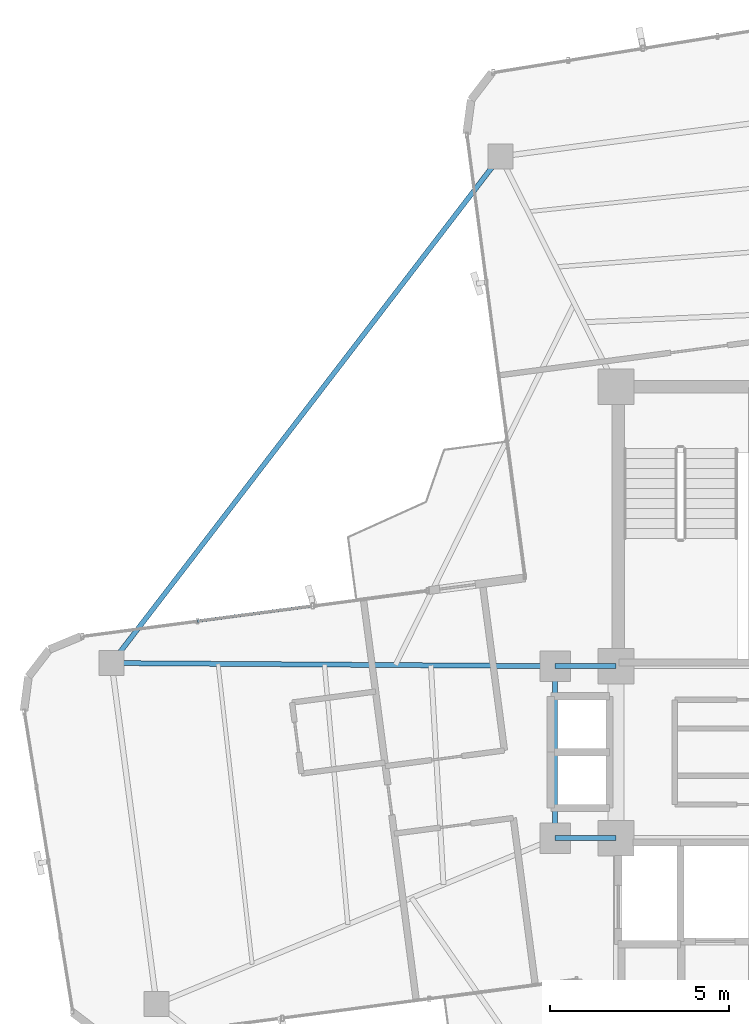
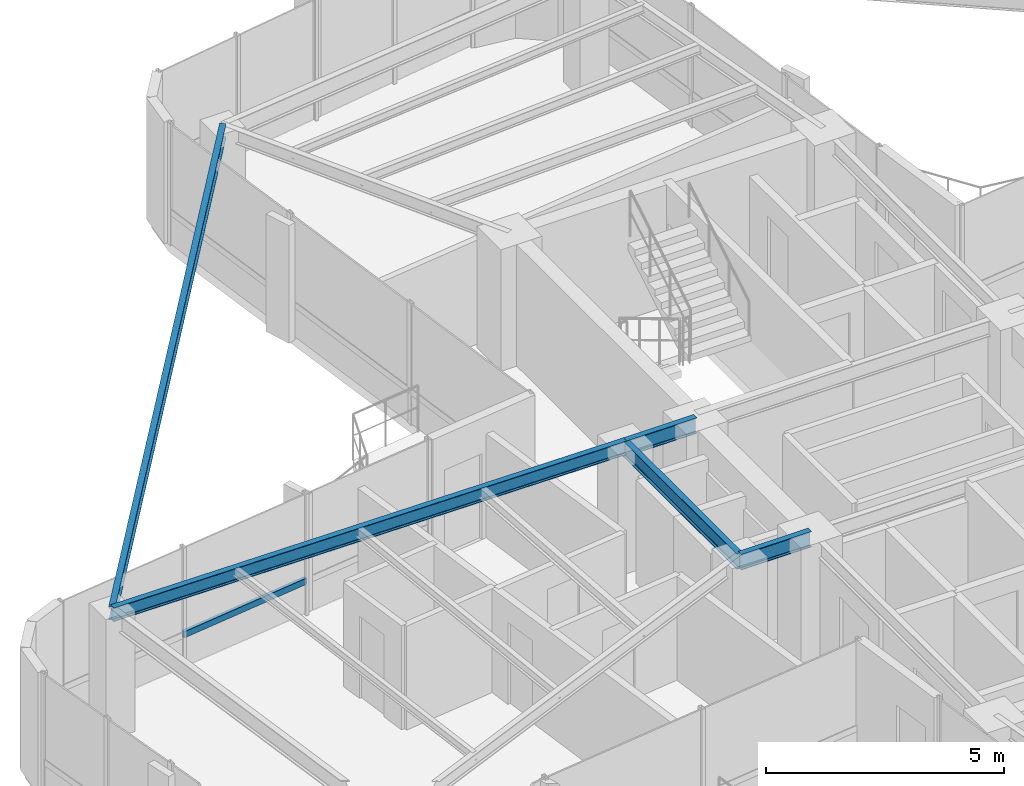
# One storey, part 7 of 21: 5 beams, 1 member, 1 element without a shape of its own.
"""IFC4 building model written with IfcOpenShell, lengths in metres."""

from ifc_helpers import new_model, si_unit, direction, frame, origin, origin_2d, place, context, subcontext, project, spatial, hollow_rectangle, i_section, extrude, source, transform, mapped, material, material_profile, profile_set, type_object, element, aggregate, save


model = new_model("IFC4")

# Units and contexts
model_context = context("Model", 3, precision=1e-05, world=origin(), true_north=direction((0.0, 1.0)))
body_context = subcontext(model_context, "Body", "Model", "MODEL_VIEW")
ifc_project = project(units=[si_unit("LENGTHUNIT", "METRE"), si_unit("AREAUNIT", "SQUARE_METRE"), si_unit("VOLUMEUNIT", "CUBIC_METRE"), si_unit("PLANEANGLEUNIT", "RADIAN"), si_unit("MASSUNIT", "GRAM", prefix="KILO")], contexts=[model_context])

# Site, building, storey
site_placement = place(None, origin())
site = spatial("IfcSite", under=ifc_project, at=site_placement, CompositionType="ELEMENT")
building_placement = place(site_placement, origin())
building = spatial("IfcBuilding", under=site, at=building_placement, Name="Sahyath Konkavel Grand Hotel", CompositionType="ELEMENT")
storey_placement = place(building_placement, frame((0.0, 0.0, 216.550048828125)))
storey = spatial("IfcBuildingStorey", under=building, at=storey_placement, Name="L60", CompositionType="ELEMENT", Elevation=216.550048828125)

# Beams
ifc_material_1 = material(Name="Steel E350", Category="steel")
ifc_material_profile_1 = material_profile(ifc_material_1, i_section(OverallWidth=0.139892578125, OverallDepth=0.39990234375, WebThickness=0.0087890625, FlangeThickness=0.01611328125, FilletRadius=0.013916015625, at=origin_2d()), Name="ISMB 400")
ifc_profile_set_1 = profile_set([ifc_material_profile_1], Name="Steel E350")
beam_type_1 = type_object("IfcBeamType", Name="BM-ISMB400", PredefinedType="BEAM", material=ifc_profile_set_1)
shared_shape_1 = source(origin(), body_context, "Body", "SweptSolid", [
    extrude(i_section(OverallWidth=0.139892578125, OverallDepth=0.39990234375, WebThickness=0.0087890625, FlangeThickness=0.01611328125, FilletRadius=0.013916015625, at=origin_2d()), origin(), (0.0, 0.0, 1.0), 1.699951171875),
])
for number, where, z_axis, x_axis, name in (
    (1, (-5.5, 2.39990234375, 2.909912109375), (1.0, 0.0, 0.0), (0.0, 1.0, 0.0), "str:bm:L60:HB-NW"),
    (2, (-5.5, -2.39990234375, 2.909912109375), (1.0, 0.0, 0.0), (0.0, 1.0, 0.0), "str:bm:L60:HB-SW"),
):
    element("IfcBeam", number, at=place(storey_placement, frame(where, z_axis=z_axis, x_axis=x_axis)), inside=storey, type_object=beam_type_1, Name=name, PredefinedType="BEAM", context=body_context, shape_type="MappedRepresentation", body=[
        mapped(shared_shape_1, transform((0.0, 0.0, 0.0), scale=1.0)),
    ])
shared_shape_2 = source(origin(), body_context, "Body", "SweptSolid", [
    extrude(i_section(OverallWidth=0.139892578125, OverallDepth=0.39990234375, WebThickness=0.0087890625, FlangeThickness=0.01611328125, FilletRadius=0.013916015625, at=origin_2d()), origin(), (0.0, 0.0, 1.0), 4.7998046875),
])
beam_1_placement = place(storey_placement, frame((-5.5, -2.39990234375, 2.909912109375), z_axis=(0.0, 1.0, 0.0), x_axis=(-1.0, 0.0, 0.0)))
element("IfcBeam", 3, at=beam_1_placement, inside=storey, type_object=beam_type_1, Name="str:bm:L60:HB-W", PredefinedType="BEAM", context=body_context, shape_type="MappedRepresentation", body=[
    mapped(shared_shape_2, transform((0.0, 0.0, 0.0), scale=1.0)),
])
ifc_material_profile_2 = material_profile(ifc_material_1, i_section(OverallWidth=0.139892578125, OverallDepth=0.35009765625, WebThickness=0.008056640625, FlangeThickness=0.01416015625, FilletRadius=0.013916015625, at=origin_2d()), Name="ISMB 350")
ifc_profile_set_2 = profile_set([ifc_material_profile_2], Name="Steel E350")
beam_type_2 = type_object("IfcBeamType", Name="BM-ISMB350", PredefinedType="BEAM", material=ifc_profile_set_2)
shared_shape_3 = source(origin(), body_context, "Body", "SweptSolid", [
    extrude(i_section(OverallWidth=0.139892578125, OverallDepth=0.35009765625, WebThickness=0.008056640625, FlangeThickness=0.01416015625, FilletRadius=0.013916015625, at=origin_2d()), origin(), (0.0, 0.0, 1.0), 12.3779296875),
])
beam_2_placement = place(storey_placement, frame((-5.5, 2.39990234375, 2.93505859375), z_axis=(-0.999974790757, 0.007100552766, 0.0), x_axis=(-0.007100552766, -0.999974790757, 0.0)))
element("IfcBeam", 4, at=beam_2_placement, inside=storey, type_object=beam_type_2, Name="L60 Cruciform Radial Girder WA", PredefinedType="BEAM", context=body_context, shape_type="MappedRepresentation", body=[
    mapped(shared_shape_3, transform((0.0, 0.0, 0.0), scale=1.0)),
])
shared_shape_4 = source(origin(), body_context, "Body", "SweptSolid", [
    extrude(i_section(OverallWidth=0.139892578125, OverallDepth=0.35009765625, WebThickness=0.008056640625, FlangeThickness=0.01416015625, FilletRadius=0.013916015625, at=origin_2d()), origin(), (0.0, 0.0, 1.0), 17.819091796875),
])
beam_3_placement = place(storey_placement, frame((-7.030029296875, 16.62451171875, 2.93505859375), z_axis=(-0.608767449027, -0.793348720932, 0.0), x_axis=(0.793348720932, -0.608767449027, 0.0)))
element("IfcBeam", 5, at=beam_3_placement, inside=storey, type_object=beam_type_2, Name="L60 Re-Entrant Tie Beam NW", PredefinedType="BEAM", context=body_context, shape_type="MappedRepresentation", body=[
    mapped(shared_shape_4, transform((0.0, 0.0, 0.0), scale=1.0)),
])

# Curtain wall, member
ifc_material_2 = material(Name="Anodised Bronze Aluminium & Low-E Glazing", Category="aluminium")
curtain_wall_type = type_object("IfcCurtainWallType", Name="CW-ZONE4", PredefinedType="NOTDEFINED", material=ifc_material_2)
curtain_wall_placement = place(storey_placement, origin())
curtain_wall = element("IfcCurtainWall", 6, at=curtain_wall_placement, inside=storey, type_object=curtain_wall_type, Name="L60 Unitised Curtain Wall F16", PredefinedType="NOTDEFINED")
ifc_material_3 = material(Name="Anodised Bronze Aluminium", Category="aluminium")
ifc_material_profile_3 = material_profile(ifc_material_3, hollow_rectangle(XDim=0.080078125, YDim=0.159912109375, WallThickness=0.006103515625, at=origin_2d()), Name="RHS 160x80x6")
ifc_profile_set_3 = profile_set([ifc_material_profile_3], Name="Anodised Bronze Aluminium")
member_type = type_object("IfcMemberType", Name="CW-TRN-160", PredefinedType="USERDEFINED", material=ifc_profile_set_3)
shared_shape_5 = source(origin(), body_context, "Body", "SweptSolid", [
    extrude(hollow_rectangle(XDim=0.080078125, YDim=0.159912109375, WallThickness=0.006103515625, at=origin_2d()), origin(), (0.0, 0.0, 1.0), 3.239990234375),
])
member_placement = place(storey_placement, frame((-12.26806640625, 4.083740234375, 0.849853515625), z_axis=(-0.991436589187, -0.130589010341, 0.0), x_axis=(0.130589010341, -0.991436589187, 0.0)))
member = element("IfcMember", 7, at=member_placement, type_object=member_type, Name="L60 Curtain Wall Transom F16-1-spandrel", ObjectType="TRANSOM", PredefinedType="USERDEFINED", context=body_context, shape_type="MappedRepresentation", body=[
    mapped(shared_shape_5, transform((0.0, 0.0, 0.0), scale=1.0)),
])
aggregate(curtain_wall, [member])

save(model, "model.ifc")
